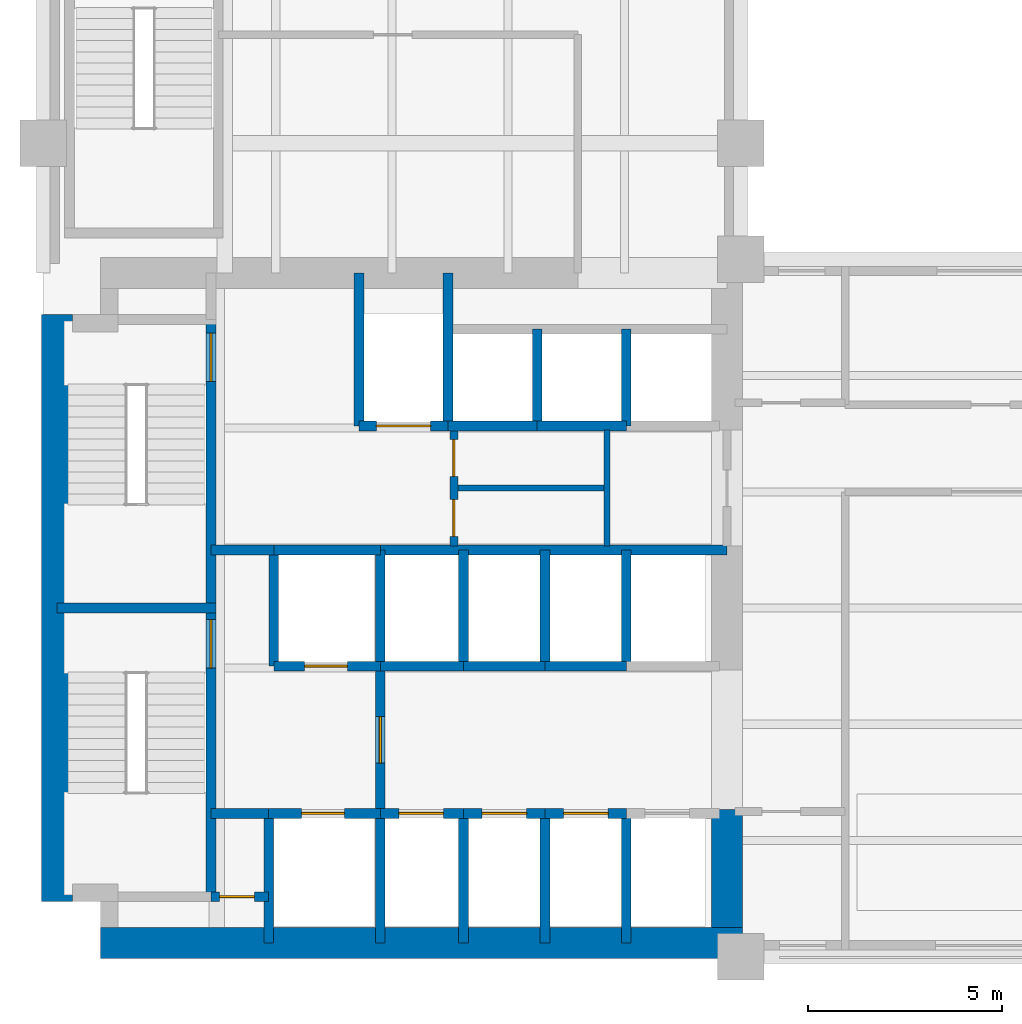
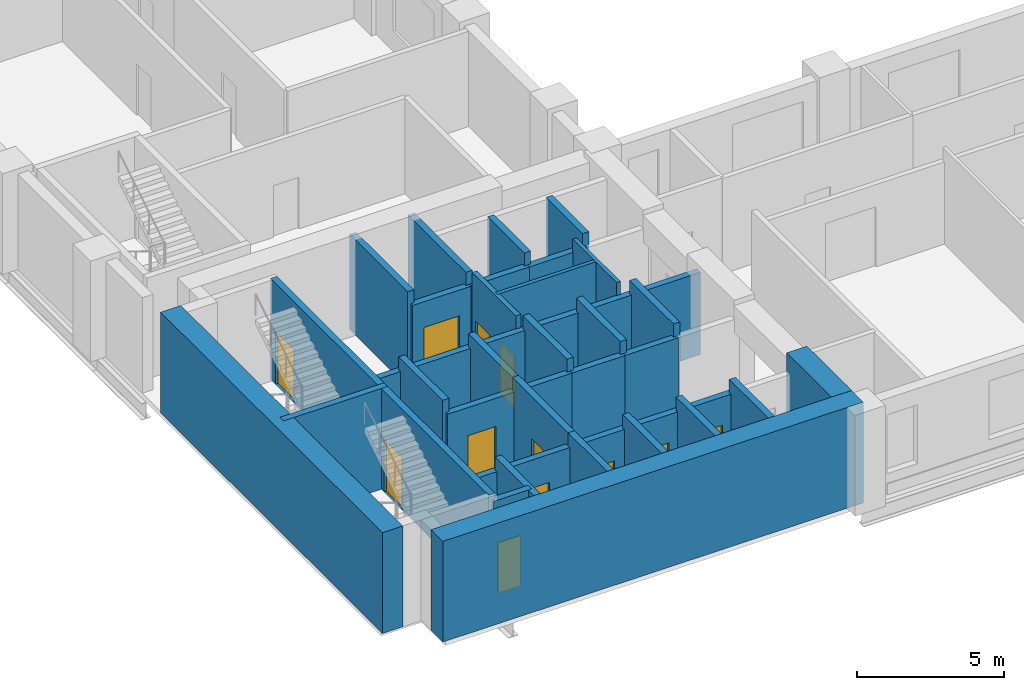
# One storey, part 3 of 8: 40 walls, 12 doors, 12 openings.
"""IFC4 building model written with IfcOpenShell, lengths in metres."""

from ifc_helpers import new_model, si_unit, direction, frame, frame_2d, origin, place, context, subcontext, project, spatial, rectangle, extrude, material, layer, layer_set, type_object, element, fill, save


model = new_model("IFC4")

# Units and contexts
model_context = context("Model", 3, precision=1e-05, world=origin(), true_north=direction((0.0, 1.0)))
body_context = subcontext(model_context, "Body", "Model", "MODEL_VIEW")
ifc_project = project(units=[si_unit("LENGTHUNIT", "METRE"), si_unit("AREAUNIT", "SQUARE_METRE"), si_unit("VOLUMEUNIT", "CUBIC_METRE"), si_unit("PLANEANGLEUNIT", "RADIAN"), si_unit("MASSUNIT", "GRAM", prefix="KILO")], contexts=[model_context])

# Site, building, storey
site_placement = place(None, origin())
site = spatial("IfcSite", under=ifc_project, at=site_placement, CompositionType="ELEMENT")
building_placement = place(site_placement, origin())
building = spatial("IfcBuilding", under=site, at=building_placement, Name="Mawjdan Bourse Tower", CompositionType="ELEMENT")
storey_placement = place(building_placement, frame((0.0, 0.0, 63.60009765625)))
storey = spatial("IfcBuildingStorey", under=building, at=storey_placement, Name="L14", CompositionType="ELEMENT", Elevation=63.60009765625)

# Wall, openings, doors
ifc_material_1 = material(Name="Gypsum Fireboard Assembly")
ifc_layer_1 = layer(ifc_material_1, 0.199951171875)
ifc_layer_set_1 = layer_set([ifc_layer_1], Name="Gypsum Fireboard Assembly")
wall_type_1 = type_object("IfcWallType", Name="WL-CMP-200", PredefinedType="PARTITIONING", material=ifc_layer_set_1)
wall_1_placement = place(storey_placement, frame((16.60009765625, 13.60009765625, 0.0), z_axis=(0.0, 0.0, 1.0), x_axis=(0.0, 1.0, 0.0)))
wall_1 = element("IfcWall", 1, at=wall_1_placement, inside=storey, type_object=wall_type_1, Name="L14 Core Restroom West Wall", PredefinedType="PARTITIONING", context=body_context, shape_type="SweptSolid", body=[
    extrude(rectangle(XDim=3.0, YDim=0.199951171875, at=frame_2d((1.5, 0.0))), origin(), (0.0, 0.0, 1.0), 3.969970703125),
])
opening_1_placement = place(wall_1_placement, frame((0.25, 0.0, 0.0)))
opening_1 = element("IfcOpeningElement", 2, at=opening_1_placement, cuts=wall_1, Name="Opening D-L14-14", PredefinedType="OPENING", context=body_context, shape_type="SweptSolid", body=[
    extrude(rectangle(XDim=0.949951171875, YDim=2.10009765625, at=frame_2d((0.47509765625, 1.050048828125))), frame((0.0, 0.10986328125, 0.0), z_axis=(0.0, -1.0, 0.0), x_axis=(1.0, 0.0, 0.0)), (0.0, 0.0, 1.0), 0.219970703125),
])
opening_2_placement = place(wall_1_placement, frame((1.800048828125, 0.0, 0.0)))
opening_2 = element("IfcOpeningElement", 3, at=opening_2_placement, cuts=wall_1, Name="Opening D-L14-15", PredefinedType="OPENING", context=body_context, shape_type="SweptSolid", body=[
    extrude(rectangle(XDim=0.949951171875, YDim=2.10009765625, at=frame_2d((0.47509765625, 1.050048828125))), frame((0.0, 0.10986328125, 0.0), z_axis=(0.0, -1.0, 0.0), x_axis=(1.0, 0.0, 0.0)), (0.0, 0.0, 1.0), 0.219970703125),
])
ifc_material_2 = material(Name="Moisture-Resistant Laminate Timber", Category="wood")
door_type_1 = type_object("IfcDoorType", Name="DR-WET-0950", OperationType="NOTDEFINED", PredefinedType="DOOR", material=ifc_material_2)
door_1_placement = place(opening_1_placement, origin())
door_1 = element("IfcDoor", 4, at=door_1_placement, inside=storey, type_object=door_type_1, Name="L14 Accessible WC West Entry Door D-L14-14", OperationType="SINGLE_SWING_LEFT", OverallHeight=2.10009765625, OverallWidth=0.949951171875, PredefinedType="DOOR", context=body_context, shape_type="SweptSolid", body=[
    extrude(rectangle(XDim=0.949951171875, YDim=2.10009765625, at=frame_2d((0.47509765625, 1.050048828125))), frame((0.0, 0.02490234375, 0.0), z_axis=(0.0, -1.0, 0.0), x_axis=(1.0, 0.0, 0.0)), (0.0, 0.0, 1.0), 0.050048828125),
])
fill(opening_1, door_1)
door_2_placement = place(opening_2_placement, origin())
door_2 = element("IfcDoor", 5, at=door_2_placement, inside=storey, type_object=door_type_1, Name="L14 Male Restroom West Entry Door D-L14-15", OperationType="SINGLE_SWING_RIGHT", OverallHeight=2.10009765625, OverallWidth=0.949951171875, PredefinedType="DOOR", context=body_context, shape_type="SweptSolid", body=[
    extrude(rectangle(XDim=0.949951171875, YDim=2.10009765625, at=frame_2d((0.47509765625, 1.050048828125))), frame((0.0, 0.02490234375, 0.0), z_axis=(0.0, -1.0, 0.0), x_axis=(1.0, 0.0, 0.0)), (0.0, 0.0, 1.0), 0.050048828125),
])
fill(opening_2, door_2)

# Walls
ifc_material_3 = material(Name="Concrete C80/95", Category="concrete")
ifc_layer_2 = layer(ifc_material_3, 0.800048828125)
ifc_layer_set_2 = layer_set([ifc_layer_2], Name="Concrete C80/95")
wall_type_2 = type_object("IfcWallType", Name="WL-CORE-800", PredefinedType="SHEAR", material=ifc_layer_set_2)
wall_2_placement = place(storey_placement, frame((7.47509765625, 3.35009765625, 0.0), z_axis=(0.0, 0.0, 1.0), x_axis=(1.0, 0.0, 0.0)))
element("IfcWall", 6, at=wall_2_placement, inside=storey, type_object=wall_type_2, Name="L14 Rear Core Shear Wall S", PredefinedType="SHEAR", context=body_context, shape_type="SweptSolid", body=[
    extrude(rectangle(XDim=16.574951171875, YDim=0.800048828125, at=frame_2d((8.28759765625, 0.0))), origin(), (0.0, 0.0, 1.0), 4.199951171875),
])
wall_3_placement = place(storey_placement, frame((6.35009765625, 4.425048828125, 0.0), z_axis=(0.0, 0.0, 1.0), x_axis=(0.0, 1.0, 0.0)))
element("IfcWall", 7, at=wall_3_placement, inside=storey, type_object=wall_type_2, Name="L14 Rear Core Shear Wall W", PredefinedType="SHEAR", context=body_context, shape_type="SweptSolid", body=[
    extrude(rectangle(XDim=15.14990234375, YDim=0.800048828125, at=frame_2d((7.574951171875, 0.0))), origin(), (0.0, 0.0, 1.0), 4.199951171875),
])
wall_4_placement = place(storey_placement, frame((23.64990234375, 3.75, 0.0), z_axis=(0.0, 0.0, 1.0), x_axis=(0.0, 1.0, 0.0)))
element("IfcWall", 8, at=wall_4_placement, inside=storey, type_object=wall_type_2, Name="L14 Rear Core Shear Wall E1", PredefinedType="SHEAR", context=body_context, shape_type="SweptSolid", body=[
    extrude(rectangle(XDim=3.050048828125, YDim=0.800048828125, at=frame_2d((1.52490234375, 0.0))), origin(), (0.0, 0.0, 1.0), 4.199951171875),
])
ifc_material_4 = material(Name="Gypsum Acoustic Partition")
ifc_layer_3 = layer(ifc_material_4, 0.14990234375)
ifc_layer_set_3 = layer_set([ifc_layer_3], Name="Gypsum Acoustic Partition")
wall_type_3 = type_object("IfcWallType", Name="WL-PRT-150", PredefinedType="PARTITIONING", material=ifc_layer_set_3)
wall_5_placement = place(storey_placement, frame((16.60009765625, 15.10009765625, 0.0), z_axis=(0.0, 0.0, 1.0), x_axis=(1.0, 0.0, 0.0)))
element("IfcWall", 9, at=wall_5_placement, inside=storey, type_object=wall_type_3, Name="L14 Core Restroom West Horizontal Split", PredefinedType="PARTITIONING", context=body_context, shape_type="SweptSolid", body=[
    extrude(rectangle(XDim=3.949951171875, YDim=0.14990234375, at=frame_2d((1.97509765625, 0.0))), origin(), (0.0, 0.0, 1.0), 3.969970703125),
])
wall_6_placement = place(storey_placement, frame((20.550048828125, 13.60009765625, 0.0), z_axis=(0.0, 0.0, 1.0), x_axis=(0.0, 1.0, 0.0)))
element("IfcWall", 10, at=wall_6_placement, inside=storey, type_object=wall_type_3, Name="L14 Core Restroom Vertical Split", PredefinedType="PARTITIONING", context=body_context, shape_type="SweptSolid", body=[
    extrude(rectangle(XDim=3.0, YDim=0.14990234375, at=frame_2d((1.5, 0.0))), origin(), (0.0, 0.0, 1.0), 3.969970703125),
])

# Wall, opening, door
ifc_material_5 = material(Name="Concrete C50/60", Category="concrete")
ifc_layer_4 = layer(ifc_material_5, 0.25)
ifc_layer_set_4 = layer_set([ifc_layer_4], Name="Concrete C50/60")
wall_type_4 = type_object("IfcWallType", Name="WL-SHFT-250", PredefinedType="PARTITIONING", material=ifc_layer_set_4)
wall_7_placement = place(storey_placement, frame((10.330078125, 4.550048828125, 0.0), z_axis=(0.0, 0.0, 1.0), x_axis=(1.0, 0.0, 0.0)))
wall_7 = element("IfcWall", 11, at=wall_7_placement, inside=storey, type_object=wall_type_4, Name="L14 SW Riser North Wall", PredefinedType="PARTITIONING", context=body_context, shape_type="SweptSolid", body=[
    extrude(rectangle(XDim=1.489990234375, YDim=0.25, at=frame_2d((0.7451171875, 0.0))), origin(), (0.0, 0.0, 1.0), 3.969970703125),
])
opening_3_placement = place(wall_7_placement, frame((0.219970703125, 0.0, 0.0)))
opening_3 = element("IfcOpeningElement", 12, at=opening_3_placement, cuts=wall_7, Name="Opening RD-L14-03", PredefinedType="OPENING", context=body_context, shape_type="SweptSolid", body=[
    extrude(rectangle(XDim=0.89990234375, YDim=2.10009765625, at=frame_2d((0.449951171875, 1.050048828125))), frame((0.0, 0.135009765625, 0.0), z_axis=(0.0, -1.0, 0.0), x_axis=(1.0, 0.0, 0.0)), (0.0, 0.0, 1.0), 0.27001953125),
])
ifc_material_6 = material(Name="Fire-Rated Steel Access Leaf", Category="steel")
door_type_2 = type_object("IfcDoorType", Name="FD-RSR-0900", OperationType="NOTDEFINED", PredefinedType="TRAPDOOR", material=ifc_material_6)
door_3_placement = place(opening_3_placement, origin())
door_3 = element("IfcDoor", 13, at=door_3_placement, inside=storey, type_object=door_type_2, Name="L14 Electrical Riser Access Door RD-L14-03", OperationType="SINGLE_SWING_LEFT", OverallHeight=2.10009765625, OverallWidth=0.89990234375, PredefinedType="TRAPDOOR", context=body_context, shape_type="SweptSolid", body=[
    extrude(rectangle(XDim=0.89990234375, YDim=2.10009765625, at=frame_2d((0.449951171875, 1.050048828125))), frame((0.0, 0.02490234375, 0.0), z_axis=(0.0, -1.0, 0.0), x_axis=(1.0, 0.0, 0.0)), (0.0, 0.0, 1.0), 0.050048828125),
])
fill(opening_3, door_3)

# Wall
wall_8_placement = place(storey_placement, frame((11.820068359375, 3.35009765625, 0.0), z_axis=(0.0, 0.0, 1.0), x_axis=(0.0, 1.0, 0.0)))
element("IfcWall", 14, at=wall_8_placement, inside=storey, type_object=wall_type_4, Name="L14 SW Riser & FFL01 West Wall", PredefinedType="PARTITIONING", context=body_context, shape_type="SweptSolid", body=[
    extrude(rectangle(XDim=3.349853515625, YDim=0.25, at=frame_2d((1.6748046875, 0.0))), origin(), (0.0, 0.0, 1.0), 3.969970703125),
])

# Wall, opening, door
wall_9_placement = place(storey_placement, frame((11.820068359375, 6.699951171875, 0.0), z_axis=(0.0, 0.0, 1.0), x_axis=(1.0, 0.0, 0.0)))
wall_9 = element("IfcWall", 15, at=wall_9_placement, inside=storey, type_object=wall_type_4, Name="L14 FFL-01 Front Shaft Wall", PredefinedType="PARTITIONING", context=body_context, shape_type="SweptSolid", body=[
    extrude(rectangle(XDim=2.8798828125, YDim=0.25, at=frame_2d((1.43994140625, 0.0))), origin(), (0.0, 0.0, 1.0), 3.42578125),
])
opening_4_placement = place(wall_9_placement, frame((0.85009765625, 0.0, 0.0)))
opening_4 = element("IfcOpeningElement", 16, at=opening_4_placement, cuts=wall_9, Name="Opening LD-L14-05", PredefinedType="OPENING", context=body_context, shape_type="SweptSolid", body=[
    extrude(rectangle(XDim=1.10009765625, YDim=2.25, at=frame_2d((0.550048828125, 1.125))), frame((0.0, 0.135009765625, 0.0), z_axis=(0.0, -1.0, 0.0), x_axis=(1.0, 0.0, 0.0)), (0.0, 0.0, 1.0), 0.27001953125),
])
ifc_material_7 = material(Name="Brushed Stainless Steel", Category="steel")
door_type_3 = type_object("IfcDoorType", Name="LD-FFL-1100", OperationType="DOUBLE_DOOR_SLIDING", PredefinedType="DOOR", material=ifc_material_7)
door_4_placement = place(opening_4_placement, origin())
door_4 = element("IfcDoor", 17, at=door_4_placement, inside=storey, type_object=door_type_3, Name="L14 Firefighting Lift FFL-01 Landing Door LD-L14-05", OperationType="DOUBLE_DOOR_SLIDING", OverallHeight=2.25, OverallWidth=1.10009765625, PredefinedType="DOOR", context=body_context, shape_type="SweptSolid", body=[
    extrude(rectangle(XDim=1.10009765625, YDim=2.25, at=frame_2d((0.550048828125, 1.125))), frame((0.0, 0.02490234375, 0.0), z_axis=(0.0, -1.0, 0.0), x_axis=(1.0, 0.0, 0.0)), (0.0, 0.0, 1.0), 0.050048828125),
])
fill(opening_4, door_4)

# Wall
wall_10_placement = place(storey_placement, frame((14.699951171875, 3.35009765625, 0.0), z_axis=(0.0, 0.0, 1.0), x_axis=(0.0, 1.0, 0.0)))
element("IfcWall", 18, at=wall_10_placement, inside=storey, type_object=wall_type_4, Name="L14 FFL-01 East Shaft Wall", PredefinedType="PARTITIONING", context=body_context, shape_type="SweptSolid", body=[
    extrude(rectangle(XDim=3.349853515625, YDim=0.25, at=frame_2d((1.6748046875, 0.0))), origin(), (0.0, 0.0, 1.0), 3.969970703125),
])

# Wall, opening, door
wall_11_placement = place(storey_placement, frame((11.949951171875, 10.5, 0.0), z_axis=(0.0, 0.0, 1.0), x_axis=(1.0, 0.0, 0.0)))
wall_11 = element("IfcWall", 19, at=wall_11_placement, inside=storey, type_object=wall_type_4, Name="L14 FFL-02 Front Shaft Wall", PredefinedType="PARTITIONING", context=body_context, shape_type="SweptSolid", body=[
    extrude(rectangle(XDim=2.75, YDim=0.25, at=frame_2d((1.375, 0.0))), origin(), (0.0, 0.0, 1.0), 3.42578125),
])
opening_5_placement = place(wall_11_placement, frame((0.800048828125, 0.0, 0.0)))
opening_5 = element("IfcOpeningElement", 20, at=opening_5_placement, cuts=wall_11, Name="Opening LD-L14-06", PredefinedType="OPENING", context=body_context, shape_type="SweptSolid", body=[
    extrude(rectangle(XDim=1.10009765625, YDim=2.25, at=frame_2d((0.550048828125, 1.125))), frame((0.0, 0.135009765625, 0.0), z_axis=(0.0, -1.0, 0.0), x_axis=(1.0, 0.0, 0.0)), (0.0, 0.0, 1.0), 0.27001953125),
])
door_5_placement = place(opening_5_placement, origin())
door_5 = element("IfcDoor", 21, at=door_5_placement, inside=storey, type_object=door_type_3, Name="L14 Firefighting Lift FFL-02 Landing Door LD-L14-06", OperationType="DOUBLE_DOOR_SLIDING", OverallHeight=2.25, OverallWidth=1.10009765625, PredefinedType="DOOR", context=body_context, shape_type="SweptSolid", body=[
    extrude(rectangle(XDim=1.10009765625, YDim=2.25, at=frame_2d((0.550048828125, 1.125))), frame((0.0, 0.02490234375, 0.0), z_axis=(0.0, -1.0, 0.0), x_axis=(1.0, 0.0, 0.0)), (0.0, 0.0, 1.0), 0.050048828125),
])
fill(opening_5, door_5)

# Walls
wall_12_placement = place(storey_placement, frame((11.949951171875, 10.5, 0.0), z_axis=(0.0, 0.0, 1.0), x_axis=(0.0, 1.0, 0.0)))
element("IfcWall", 22, at=wall_12_placement, inside=storey, type_object=wall_type_4, Name="L14 FFL-02 West Shaft Wall", PredefinedType="PARTITIONING", context=body_context, shape_type="SweptSolid", body=[
    extrude(rectangle(XDim=3.0, YDim=0.25, at=frame_2d((1.5, 0.0))), origin(), (0.0, 0.0, 1.0), 3.969970703125),
])
wall_13_placement = place(storey_placement, frame((11.949951171875, 13.5, 0.0), z_axis=(0.0, 0.0, 1.0), x_axis=(1.0, 0.0, 0.0)))
element("IfcWall", 23, at=wall_13_placement, inside=storey, type_object=wall_type_4, Name="L14 FFL-02 North Shaft Wall", PredefinedType="PARTITIONING", context=body_context, shape_type="SweptSolid", body=[
    extrude(rectangle(XDim=2.75, YDim=0.25, at=frame_2d((1.375, 0.0))), origin(), (0.0, 0.0, 1.0), 3.42578125),
])
wall_14_placement = place(storey_placement, frame((14.699951171875, 10.5, 0.0), z_axis=(0.0, 0.0, 1.0), x_axis=(0.0, 1.0, 0.0)))
element("IfcWall", 24, at=wall_14_placement, inside=storey, type_object=wall_type_4, Name="L14 FFL-02 East Shaft Wall", PredefinedType="PARTITIONING", context=body_context, shape_type="SweptSolid", body=[
    extrude(rectangle(XDim=3.0, YDim=0.25, at=frame_2d((1.5, 0.0))), origin(), (0.0, 0.0, 1.0), 3.969970703125),
])

# Wall, opening, door
wall_15_placement = place(storey_placement, frame((14.699951171875, 6.699951171875, 0.0), z_axis=(0.0, 0.0, 1.0), x_axis=(0.0, 1.0, 0.0)))
wall_15 = element("IfcWall", 25, at=wall_15_placement, inside=storey, type_object=wall_type_4, Name="L14 Firefighting Lobby East Compartment Wall", PredefinedType="PARTITIONING", context=body_context, shape_type="SweptSolid", body=[
    extrude(rectangle(XDim=3.800048828125, YDim=0.25, at=frame_2d((1.89990234375, 0.0))), origin(), (0.0, 0.0, 1.0), 3.969970703125),
])
opening_6_placement = place(wall_15_placement, frame((1.300048828125, 0.0, 0.0)))
opening_6 = element("IfcOpeningElement", 26, at=opening_6_placement, cuts=wall_15, Name="Opening FD-L14-07", PredefinedType="OPENING", context=body_context, shape_type="SweptSolid", body=[
    extrude(rectangle(XDim=1.199951171875, YDim=2.199951171875, at=frame_2d((0.60009765625, 1.10009765625))), frame((0.0, 0.135009765625, 0.0), z_axis=(0.0, -1.0, 0.0), x_axis=(1.0, 0.0, 0.0)), (0.0, 0.0, 1.0), 0.27001953125),
])
ifc_material_8 = material(Name="Fire-Rated Steel Leaf", Category="steel")
door_type_4 = type_object("IfcDoorType", Name="FD-FFL-1200", OperationType="NOTDEFINED", PredefinedType="DOOR", material=ifc_material_8)
door_6_placement = place(opening_6_placement, origin())
door_6 = element("IfcDoor", 27, at=door_6_placement, inside=storey, type_object=door_type_4, Name="L14 Firefighting Lobby East Smoke Door FD-L14-07", OperationType="SINGLE_SWING_LEFT", OverallHeight=2.199951171875, OverallWidth=1.199951171875, PredefinedType="DOOR", context=body_context, shape_type="SweptSolid", body=[
    extrude(rectangle(XDim=1.199951171875, YDim=2.199951171875, at=frame_2d((0.60009765625, 1.10009765625))), frame((0.0, 0.02490234375, 0.0), z_axis=(0.0, -1.0, 0.0), x_axis=(1.0, 0.0, 0.0)), (0.0, 0.0, 1.0), 0.050048828125),
])
fill(opening_6, door_6)

# Walls
wall_16_placement = place(storey_placement, frame((10.330078125, 13.5, 0.0), z_axis=(0.0, 0.0, 1.0), x_axis=(1.0, 0.0, 0.0)))
element("IfcWall", 28, at=wall_16_placement, inside=storey, type_object=wall_type_4, Name="L14 Firefighting Lobby North Compartment Wall", PredefinedType="PARTITIONING", context=body_context, shape_type="SweptSolid", body=[
    extrude(rectangle(XDim=1.619873046875, YDim=0.25, at=frame_2d((0.81005859375, 0.0))), origin(), (0.0, 0.0, 1.0), 3.42578125),
])
wall_17_placement = place(storey_placement, frame((10.330078125, 6.699951171875, 0.0), z_axis=(0.0, 0.0, 1.0), x_axis=(1.0, 0.0, 0.0)))
element("IfcWall", 29, at=wall_17_placement, inside=storey, type_object=wall_type_4, Name="L14 Firefighting Lobby South Closure Wall", PredefinedType="PARTITIONING", context=body_context, shape_type="SweptSolid", body=[
    extrude(rectangle(XDim=1.489990234375, YDim=0.25, at=frame_2d((0.7451171875, 0.0))), origin(), (0.0, 0.0, 1.0), 3.42578125),
])

# Wall, opening, door
wall_18_placement = place(storey_placement, frame((14.14990234375, 16.699951171875, 0.0), z_axis=(0.0, 0.0, 1.0), x_axis=(1.0, 0.0, 0.0)))
wall_18 = element("IfcWall", 30, at=wall_18_placement, inside=storey, type_object=wall_type_4, Name="L14 SVL-01 Front Shaft Wall", PredefinedType="PARTITIONING", context=body_context, shape_type="SweptSolid", body=[
    extrude(rectangle(XDim=2.300048828125, YDim=0.25, at=frame_2d((1.14990234375, 0.0))), origin(), (0.0, 0.0, 1.0), 3.42578125),
])
opening_7_placement = place(wall_18_placement, frame((0.449951171875, 0.0, 0.0)))
opening_7 = element("IfcOpeningElement", 31, at=opening_7_placement, cuts=wall_18, Name="Opening LD-L14-09", PredefinedType="OPENING", context=body_context, shape_type="SweptSolid", body=[
    extrude(rectangle(XDim=1.39990234375, YDim=2.35009765625, at=frame_2d((0.699951171875, 1.175048828125))), frame((0.0, 0.135009765625, 0.0), z_axis=(0.0, -1.0, 0.0), x_axis=(1.0, 0.0, 0.0)), (0.0, 0.0, 1.0), 0.27001953125),
])
ifc_material_9 = material(Name="Heavy-Duty Stainless Steel", Category="steel")
door_type_5 = type_object("IfcDoorType", Name="LD-SRV-1400", OperationType="DOUBLE_DOOR_SLIDING", PredefinedType="DOOR", material=ifc_material_9)
door_7_placement = place(opening_7_placement, origin())
door_7 = element("IfcDoor", 32, at=door_7_placement, inside=storey, type_object=door_type_5, Name="L14 Service Lift SVL-01 Landing Door LD-L14-09", OperationType="DOUBLE_DOOR_SLIDING", OverallHeight=2.35009765625, OverallWidth=1.39990234375, PredefinedType="DOOR", context=body_context, shape_type="SweptSolid", body=[
    extrude(rectangle(XDim=1.39990234375, YDim=2.35009765625, at=frame_2d((0.699951171875, 1.175048828125))), frame((0.0, 0.02490234375, 0.0), z_axis=(0.0, -1.0, 0.0), x_axis=(1.0, 0.0, 0.0)), (0.0, 0.0, 1.0), 0.050048828125),
])
fill(opening_7, door_7)

# Walls
for number, where, z_axis, x_axis, name in (
    (33, (14.14990234375, 16.699951171875, 0.0), (0.0, 0.0, 1.0), (0.0, 1.0, 0.0), "L14 SVL-01 West Shaft Wall"),
    (34, (16.449951171875, 16.699951171875, 0.0), (0.0, 0.0, 1.0), (0.0, 1.0, 0.0), "L14 SVL-01 East Shaft Wall"),
):
    element("IfcWall", number, at=place(storey_placement, frame(where, z_axis=z_axis, x_axis=x_axis)), inside=storey, type_object=wall_type_4, Name=name, PredefinedType="PARTITIONING", context=body_context, shape_type="SweptSolid", body=[
        extrude(rectangle(XDim=3.949951171875, YDim=0.25, at=frame_2d((1.97509765625, 0.0))), origin(), (0.0, 0.0, 1.0), 3.969970703125),
    ])
wall_19_placement = place(storey_placement, frame((16.449951171875, 16.699951171875, 0.0), z_axis=(0.0, 0.0, 1.0), x_axis=(1.0, 0.0, 0.0)))
element("IfcWall", 35, at=wall_19_placement, inside=storey, type_object=wall_type_4, Name="L14 PH-01 Front Wall", PredefinedType="PARTITIONING", context=body_context, shape_type="SweptSolid", body=[
    extrude(rectangle(XDim=2.300048828125, YDim=0.25, at=frame_2d((1.14990234375, 0.0))), origin(), (0.0, 0.0, 1.0), 3.42578125),
])
wall_20_placement = place(storey_placement, frame((18.75, 16.699951171875, 0.0), z_axis=(0.0, 0.0, 1.0), x_axis=(0.0, 1.0, 0.0)))
element("IfcWall", 36, at=wall_20_placement, inside=storey, type_object=wall_type_4, Name="L14 PH-01 Divider Wall", PredefinedType="PARTITIONING", context=body_context, shape_type="SweptSolid", body=[
    extrude(rectangle(XDim=2.5, YDim=0.25, at=frame_2d((1.25, 0.0))), origin(), (0.0, 0.0, 1.0), 3.969970703125),
])
wall_21_placement = place(storey_placement, frame((18.75, 16.699951171875, 0.0), z_axis=(0.0, 0.0, 1.0), x_axis=(1.0, 0.0, 0.0)))
element("IfcWall", 37, at=wall_21_placement, inside=storey, type_object=wall_type_4, Name="L14 PH-02 Front Wall", PredefinedType="PARTITIONING", context=body_context, shape_type="SweptSolid", body=[
    extrude(rectangle(XDim=2.300048828125, YDim=0.25, at=frame_2d((1.14990234375, 0.0))), origin(), (0.0, 0.0, 1.0), 3.42578125),
])
wall_22_placement = place(storey_placement, frame((21.050048828125, 16.699951171875, 0.0), z_axis=(0.0, 0.0, 1.0), x_axis=(0.0, 1.0, 0.0)))
element("IfcWall", 38, at=wall_22_placement, inside=storey, type_object=wall_type_4, Name="L14 PH-02 Divider Wall", PredefinedType="PARTITIONING", context=body_context, shape_type="SweptSolid", body=[
    extrude(rectangle(XDim=2.5, YDim=0.25, at=frame_2d((1.25, 0.0))), origin(), (0.0, 0.0, 1.0), 3.969970703125),
])

# Wall, opening, door
wall_23_placement = place(storey_placement, frame((14.699951171875, 6.699951171875, 0.0), z_axis=(0.0, 0.0, 1.0), x_axis=(1.0, 0.0, 0.0)))
wall_23 = element("IfcWall", 39, at=wall_23_placement, inside=storey, type_object=wall_type_4, Name="L14 PL-04 Front Wall", PredefinedType="PARTITIONING", context=body_context, shape_type="SweptSolid", body=[
    extrude(rectangle(XDim=2.150146484375, YDim=0.25, at=frame_2d((1.0751953125, 0.0))), origin(), (0.0, 0.0, 1.0), 3.42578125),
])
opening_8_placement = place(wall_23_placement, frame((0.47998046875, 0.0, 0.0)))
opening_8 = element("IfcOpeningElement", 40, at=opening_8_placement, cuts=wall_23, Name="Opening LD-L14-10", PredefinedType="OPENING", context=body_context, shape_type="SweptSolid", body=[
    extrude(rectangle(XDim=1.14990234375, YDim=2.25, at=frame_2d((0.574951171875, 1.125))), frame((0.0, 0.135009765625, 0.0), z_axis=(0.0, -1.0, 0.0), x_axis=(1.0, 0.0, 0.0)), (0.0, 0.0, 1.0), 0.27001953125),
])
door_type_6 = type_object("IfcDoorType", Name="LD-PAS-1150", OperationType="DOUBLE_DOOR_SLIDING", PredefinedType="DOOR", material=ifc_material_7)
door_8_placement = place(opening_8_placement, origin())
door_8 = element("IfcDoor", 41, at=door_8_placement, inside=storey, type_object=door_type_6, Name="L14 Lift PL-04 Landing Door LD-L14-10", OperationType="DOUBLE_DOOR_SLIDING", OverallHeight=2.25, OverallWidth=1.14990234375, PredefinedType="DOOR", context=body_context, shape_type="SweptSolid", body=[
    extrude(rectangle(XDim=1.14990234375, YDim=2.25, at=frame_2d((0.574951171875, 1.125))), frame((0.0, 0.02490234375, 0.0), z_axis=(0.0, -1.0, 0.0), x_axis=(1.0, 0.0, 0.0)), (0.0, 0.0, 1.0), 0.050048828125),
])
fill(opening_8, door_8)

# Wall
wall_24_placement = place(storey_placement, frame((16.85009765625, 3.35009765625, 0.0), z_axis=(0.0, 0.0, 1.0), x_axis=(0.0, 1.0, 0.0)))
element("IfcWall", 42, at=wall_24_placement, inside=storey, type_object=wall_type_4, Name="L14 PL-04 Divider Wall", PredefinedType="PARTITIONING", context=body_context, shape_type="SweptSolid", body=[
    extrude(rectangle(XDim=3.349853515625, YDim=0.25, at=frame_2d((1.6748046875, 0.0))), origin(), (0.0, 0.0, 1.0), 3.969970703125),
])

# Wall, opening, door
wall_25_placement = place(storey_placement, frame((16.85009765625, 6.699951171875, 0.0), z_axis=(0.0, 0.0, 1.0), x_axis=(1.0, 0.0, 0.0)))
wall_25 = element("IfcWall", 43, at=wall_25_placement, inside=storey, type_object=wall_type_4, Name="L14 PL-01 Front Wall", PredefinedType="PARTITIONING", context=body_context, shape_type="SweptSolid", body=[
    extrude(rectangle(XDim=2.099853515625, YDim=0.25, at=frame_2d((1.0498046875, 0.0))), origin(), (0.0, 0.0, 1.0), 3.42578125),
])
opening_9_placement = place(wall_25_placement, frame((0.47998046875, 0.0, 0.0)))
opening_9 = element("IfcOpeningElement", 44, at=opening_9_placement, cuts=wall_25, Name="Opening LD-L14-11", PredefinedType="OPENING", context=body_context, shape_type="SweptSolid", body=[
    extrude(rectangle(XDim=1.14990234375, YDim=2.25, at=frame_2d((0.574951171875, 1.125))), frame((0.0, 0.135009765625, 0.0), z_axis=(0.0, -1.0, 0.0), x_axis=(1.0, 0.0, 0.0)), (0.0, 0.0, 1.0), 0.27001953125),
])
door_9_placement = place(opening_9_placement, origin())
door_9 = element("IfcDoor", 45, at=door_9_placement, inside=storey, type_object=door_type_6, Name="L14 Lift PL-01 Landing Door LD-L14-11", OperationType="DOUBLE_DOOR_SLIDING", OverallHeight=2.25, OverallWidth=1.14990234375, PredefinedType="DOOR", context=body_context, shape_type="SweptSolid", body=[
    extrude(rectangle(XDim=1.14990234375, YDim=2.25, at=frame_2d((0.574951171875, 1.125))), frame((0.0, 0.02490234375, 0.0), z_axis=(0.0, -1.0, 0.0), x_axis=(1.0, 0.0, 0.0)), (0.0, 0.0, 1.0), 0.050048828125),
])
fill(opening_9, door_9)

# Wall
wall_26_placement = place(storey_placement, frame((18.949951171875, 3.35009765625, 0.0), z_axis=(0.0, 0.0, 1.0), x_axis=(0.0, 1.0, 0.0)))
element("IfcWall", 46, at=wall_26_placement, inside=storey, type_object=wall_type_4, Name="L14 PL-01 Divider Wall", PredefinedType="PARTITIONING", context=body_context, shape_type="SweptSolid", body=[
    extrude(rectangle(XDim=3.349853515625, YDim=0.25, at=frame_2d((1.6748046875, 0.0))), origin(), (0.0, 0.0, 1.0), 3.969970703125),
])

# Wall, opening, door
wall_27_placement = place(storey_placement, frame((18.949951171875, 6.699951171875, 0.0), z_axis=(0.0, 0.0, 1.0), x_axis=(1.0, 0.0, 0.0)))
wall_27 = element("IfcWall", 47, at=wall_27_placement, inside=storey, type_object=wall_type_4, Name="L14 PL-02 Front Wall", PredefinedType="PARTITIONING", context=body_context, shape_type="SweptSolid", body=[
    extrude(rectangle(XDim=2.10009765625, YDim=0.25, at=frame_2d((1.050048828125, 0.0))), origin(), (0.0, 0.0, 1.0), 3.42578125),
])
opening_10_placement = place(wall_27_placement, frame((0.47998046875, 0.0, 0.0)))
opening_10 = element("IfcOpeningElement", 48, at=opening_10_placement, cuts=wall_27, Name="Opening LD-L14-12", PredefinedType="OPENING", context=body_context, shape_type="SweptSolid", body=[
    extrude(rectangle(XDim=1.14990234375, YDim=2.25, at=frame_2d((0.574951171875, 1.125))), frame((0.0, 0.135009765625, 0.0), z_axis=(0.0, -1.0, 0.0), x_axis=(1.0, 0.0, 0.0)), (0.0, 0.0, 1.0), 0.27001953125),
])
door_10_placement = place(opening_10_placement, origin())
door_10 = element("IfcDoor", 49, at=door_10_placement, inside=storey, type_object=door_type_6, Name="L14 Lift PL-02 Landing Door LD-L14-12", OperationType="DOUBLE_DOOR_SLIDING", OverallHeight=2.25, OverallWidth=1.14990234375, PredefinedType="DOOR", context=body_context, shape_type="SweptSolid", body=[
    extrude(rectangle(XDim=1.14990234375, YDim=2.25, at=frame_2d((0.574951171875, 1.125))), frame((0.0, 0.02490234375, 0.0), z_axis=(0.0, -1.0, 0.0), x_axis=(1.0, 0.0, 0.0)), (0.0, 0.0, 1.0), 0.050048828125),
])
fill(opening_10, door_10)

# Walls
wall_28_placement = place(storey_placement, frame((21.050048828125, 3.35009765625, 0.0), z_axis=(0.0, 0.0, 1.0), x_axis=(0.0, 1.0, 0.0)))
element("IfcWall", 50, at=wall_28_placement, inside=storey, type_object=wall_type_4, Name="L14 PL-02 Divider Wall", PredefinedType="PARTITIONING", context=body_context, shape_type="SweptSolid", body=[
    extrude(rectangle(XDim=3.349853515625, YDim=0.25, at=frame_2d((1.6748046875, 0.0))), origin(), (0.0, 0.0, 1.0), 3.969970703125),
])
wall_29_placement = place(storey_placement, frame((14.699951171875, 10.5, 0.0), z_axis=(0.0, 0.0, 1.0), x_axis=(1.0, 0.0, 0.0)))
element("IfcWall", 51, at=wall_29_placement, inside=storey, type_object=wall_type_4, Name="L14 PM-01 Front Wall", PredefinedType="PARTITIONING", context=body_context, shape_type="SweptSolid", body=[
    extrude(rectangle(XDim=2.150146484375, YDim=0.25, at=frame_2d((1.0751953125, 0.0))), origin(), (0.0, 0.0, 1.0), 3.42578125),
])
wall_30_placement = place(storey_placement, frame((16.85009765625, 10.5, 0.0), z_axis=(0.0, 0.0, 1.0), x_axis=(0.0, 1.0, 0.0)))
element("IfcWall", 52, at=wall_30_placement, inside=storey, type_object=wall_type_4, Name="L14 PM-01 Divider Wall", PredefinedType="PARTITIONING", context=body_context, shape_type="SweptSolid", body=[
    extrude(rectangle(XDim=3.0, YDim=0.25, at=frame_2d((1.5, 0.0))), origin(), (0.0, 0.0, 1.0), 3.969970703125),
])
wall_31_placement = place(storey_placement, frame((16.85009765625, 10.5, 0.0), z_axis=(0.0, 0.0, 1.0), x_axis=(1.0, 0.0, 0.0)))
element("IfcWall", 53, at=wall_31_placement, inside=storey, type_object=wall_type_4, Name="L14 PM-02 Front Wall", PredefinedType="PARTITIONING", context=body_context, shape_type="SweptSolid", body=[
    extrude(rectangle(XDim=2.099853515625, YDim=0.25, at=frame_2d((1.0498046875, 0.0))), origin(), (0.0, 0.0, 1.0), 3.42578125),
])
wall_32_placement = place(storey_placement, frame((18.949951171875, 10.5, 0.0), z_axis=(0.0, 0.0, 1.0), x_axis=(0.0, 1.0, 0.0)))
element("IfcWall", 54, at=wall_32_placement, inside=storey, type_object=wall_type_4, Name="L14 PM-02 Divider Wall", PredefinedType="PARTITIONING", context=body_context, shape_type="SweptSolid", body=[
    extrude(rectangle(XDim=3.0, YDim=0.25, at=frame_2d((1.5, 0.0))), origin(), (0.0, 0.0, 1.0), 3.969970703125),
])
wall_33_placement = place(storey_placement, frame((18.949951171875, 10.5, 0.0), z_axis=(0.0, 0.0, 1.0), x_axis=(1.0, 0.0, 0.0)))
element("IfcWall", 55, at=wall_33_placement, inside=storey, type_object=wall_type_4, Name="L14 PM-03 Front Wall", PredefinedType="PARTITIONING", context=body_context, shape_type="SweptSolid", body=[
    extrude(rectangle(XDim=2.10009765625, YDim=0.25, at=frame_2d((1.050048828125, 0.0))), origin(), (0.0, 0.0, 1.0), 3.42578125),
])
wall_34_placement = place(storey_placement, frame((21.050048828125, 10.5, 0.0), z_axis=(0.0, 0.0, 1.0), x_axis=(0.0, 1.0, 0.0)))
element("IfcWall", 56, at=wall_34_placement, inside=storey, type_object=wall_type_4, Name="L14 PM-03 Divider Wall", PredefinedType="PARTITIONING", context=body_context, shape_type="SweptSolid", body=[
    extrude(rectangle(XDim=3.0, YDim=0.25, at=frame_2d((1.5, 0.0))), origin(), (0.0, 0.0, 1.0), 3.969970703125),
])
wall_35_placement = place(storey_placement, frame((14.699951171875, 13.5, 0.0), z_axis=(0.0, 0.0, 1.0), x_axis=(1.0, 0.0, 0.0)))
element("IfcWall", 57, at=wall_35_placement, inside=storey, type_object=wall_type_4, Name="L14 PM Bank North Shaft Back Wall", PredefinedType="PARTITIONING", context=body_context, shape_type="SweptSolid", body=[
    extrude(rectangle(XDim=8.949951171875, YDim=0.25, at=frame_2d((4.47509765625, 0.0))), origin(), (0.0, 0.0, 1.0), 3.42578125),
])
ifc_layer_5 = layer(ifc_material_5, 0.25)
ifc_layer_set_5 = layer_set([ifc_layer_5], Name="Concrete C50/60")
wall_type_5 = type_object("IfcWallType", Name="WL-STRW-250", PredefinedType="SHEAR", material=ifc_layer_set_5)
wall_36_placement = place(storey_placement, frame((6.35009765625, 12.0, 0.0), z_axis=(0.0, 0.0, 1.0), x_axis=(1.0, 0.0, 0.0)))
element("IfcWall", 58, at=wall_36_placement, inside=storey, type_object=wall_type_5, Name="L14 Stairwell Dividing Shaft Wall", PredefinedType="SHEAR", context=body_context, shape_type="SweptSolid", body=[
    extrude(rectangle(XDim=4.10498046875, YDim=0.25, at=frame_2d((2.052490234375, 0.0))), origin(), (0.0, 0.0, 1.0), 4.199951171875),
])

# Wall, opening, door
wall_37_placement = place(storey_placement, frame((10.330078125, 4.550048828125, 0.0), z_axis=(0.0, 0.0, 1.0), x_axis=(0.0, 1.0, 0.0)))
wall_37 = element("IfcWall", 59, at=wall_37_placement, inside=storey, type_object=wall_type_5, Name="L14 Stairwell ST1 East Enclosure Wall", PredefinedType="SHEAR", context=body_context, shape_type="SweptSolid", body=[
    extrude(rectangle(XDim=7.449951171875, YDim=0.25, at=frame_2d((3.72509765625, 0.0))), origin(), (0.0, 0.0, 1.0), 4.199951171875),
])
opening_11_placement = place(wall_37_placement, frame((5.89990234375, 0.0, 0.0)))
opening_11 = element("IfcOpeningElement", 60, at=opening_11_placement, cuts=wall_37, Name="Opening SD-L14-01", PredefinedType="OPENING", context=body_context, shape_type="SweptSolid", body=[
    extrude(rectangle(XDim=1.25, YDim=2.199951171875, at=frame_2d((0.625, 1.10009765625))), frame((0.0, 0.135009765625, 0.0), z_axis=(0.0, -1.0, 0.0), x_axis=(1.0, 0.0, 0.0)), (0.0, 0.0, 1.0), 0.27001953125),
])
door_type_7 = type_object("IfcDoorType", Name="FD-ST-1250", OperationType="NOTDEFINED", PredefinedType="DOOR", material=ifc_material_8)
door_11_placement = place(opening_11_placement, origin())
door_11 = element("IfcDoor", 61, at=door_11_placement, inside=storey, type_object=door_type_7, Name="L14 Exit Stair ST1 Fire Door SD-L14-01", OperationType="SINGLE_SWING_LEFT", OverallHeight=2.199951171875, OverallWidth=1.25, PredefinedType="DOOR", context=body_context, shape_type="SweptSolid", body=[
    extrude(rectangle(XDim=1.25, YDim=2.199951171875, at=frame_2d((0.625, 1.10009765625))), frame((0.0, 0.02490234375, 0.0), z_axis=(0.0, -1.0, 0.0), x_axis=(1.0, 0.0, 0.0)), (0.0, 0.0, 1.0), 0.050048828125),
])
fill(opening_11, door_11)

wall_38_placement = place(storey_placement, frame((10.330078125, 12.0, 0.0), z_axis=(0.0, 0.0, 1.0), x_axis=(0.0, 1.0, 0.0)))
wall_38 = element("IfcWall", 62, at=wall_38_placement, inside=storey, type_object=wall_type_5, Name="L14 Stairwell ST2 East Enclosure Wall", PredefinedType="SHEAR", context=body_context, shape_type="SweptSolid", body=[
    extrude(rectangle(XDim=7.449951171875, YDim=0.25, at=frame_2d((3.72509765625, 0.0))), origin(), (0.0, 0.0, 1.0), 4.199951171875),
])
opening_12_placement = place(wall_38_placement, frame((5.85009765625, 0.0, 0.0)))
opening_12 = element("IfcOpeningElement", 63, at=opening_12_placement, cuts=wall_38, Name="Opening SD-L14-02", PredefinedType="OPENING", context=body_context, shape_type="SweptSolid", body=[
    extrude(rectangle(XDim=1.25, YDim=2.199951171875, at=frame_2d((0.625, 1.10009765625))), frame((0.0, 0.135009765625, 0.0), z_axis=(0.0, -1.0, 0.0), x_axis=(1.0, 0.0, 0.0)), (0.0, 0.0, 1.0), 0.27001953125),
])
door_12_placement = place(opening_12_placement, origin())
door_12 = element("IfcDoor", 64, at=door_12_placement, inside=storey, type_object=door_type_7, Name="L14 Exit Stair ST2 Fire Door SD-L14-02", OperationType="SINGLE_SWING_RIGHT", OverallHeight=2.199951171875, OverallWidth=1.25, PredefinedType="DOOR", context=body_context, shape_type="SweptSolid", body=[
    extrude(rectangle(XDim=1.25, YDim=2.199951171875, at=frame_2d((0.625, 1.10009765625))), frame((0.0, 0.02490234375, 0.0), z_axis=(0.0, -1.0, 0.0), x_axis=(1.0, 0.0, 0.0)), (0.0, 0.0, 1.0), 0.050048828125),
])
fill(opening_12, door_12)

save(model, "model.ifc")
